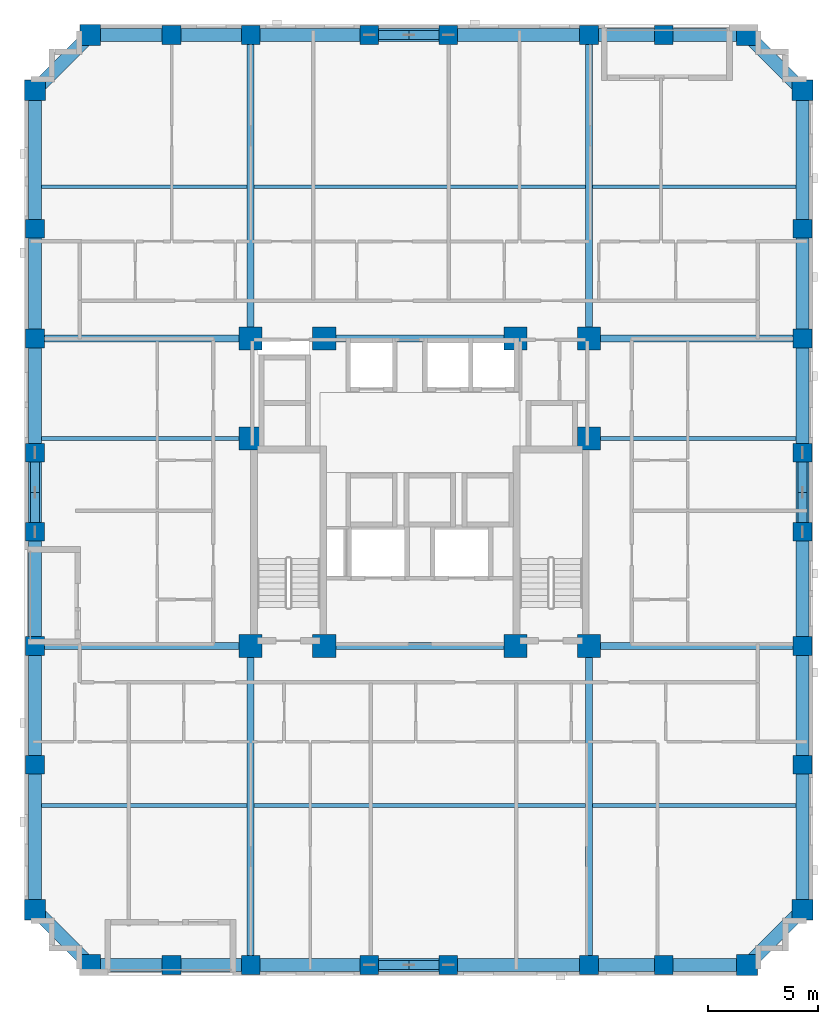
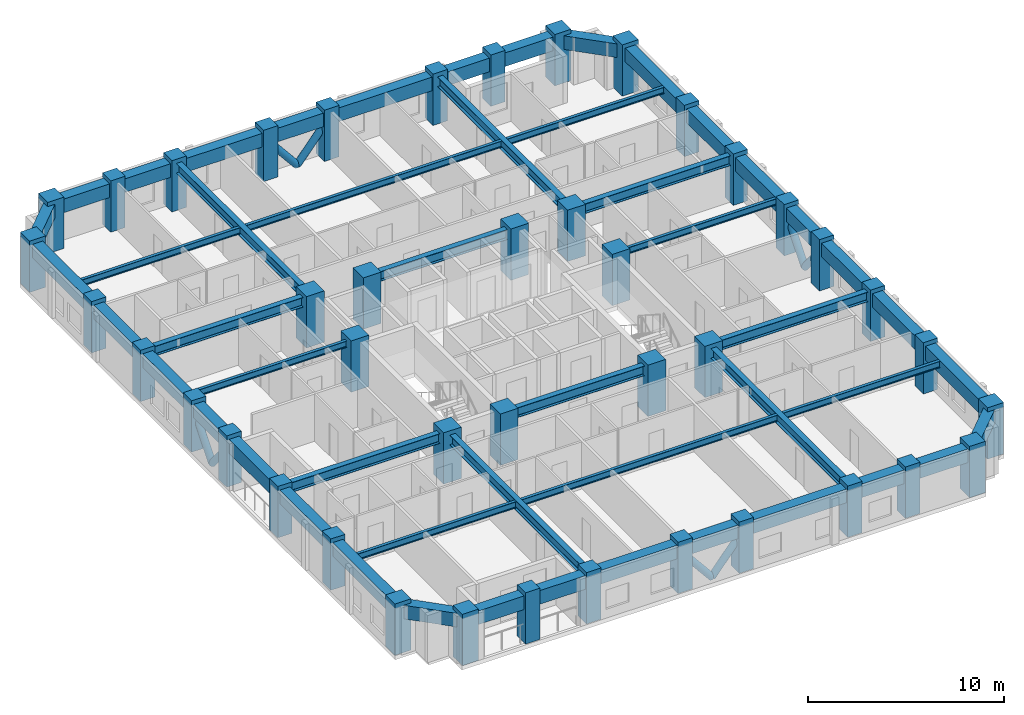
# One storey, part 1 of 12: 50 beams, 42 columns, 8 members.
"""IFC4 building model written with IfcOpenShell, lengths in metres."""

from ifc_helpers import new_model, si_unit, derived_unit, direction, frame, origin, origin_2d, place, context, subcontext, project, spatial, rectangle, hollow_circle, i_section, extrude, material, material_profile, profile_set, type_object, element, save


model = new_model("IFC4")

# Units and contexts
model_context = context("Model", 3, precision=1e-05, world=origin(), true_north=direction((0.0, 1.0)))
body_context = subcontext(model_context, "Body", "Model", "MODEL_VIEW")
ifc_project = project(units=[si_unit("LENGTHUNIT", "METRE"), si_unit("AREAUNIT", "SQUARE_METRE"), si_unit("VOLUMEUNIT", "CUBIC_METRE"), si_unit("PLANEANGLEUNIT", "RADIAN"), si_unit("MASSUNIT", "GRAM", prefix="KILO"), derived_unit("THERMALTRANSMITTANCEUNIT", [(si_unit("MASSUNIT", "GRAM", prefix="KILO"), 1), (si_unit("TIMEUNIT", "SECOND"), -3), (si_unit("THERMODYNAMICTEMPERATUREUNIT", "KELVIN"), -1)])], contexts=[model_context])

# Site, building, storey
site_placement = place(None, origin())
site = spatial("IfcSite", under=ifc_project, at=site_placement, CompositionType="ELEMENT")
building_placement = place(site_placement, origin())
building = spatial("IfcBuilding", under=site, at=building_placement, Name="Korrvale Station Residences", CompositionType="ELEMENT")
storey_placement = place(building_placement, frame((0.0, 0.0, 91.10009765625)))
storey = spatial("IfcBuildingStorey", under=building, at=storey_placement, Name="L25", CompositionType="ELEMENT", Elevation=91.10009765625)

# Columns
ifc_material_1 = material(Name="Concrete C60/75", Category="concrete")
ifc_material_profile_1 = material_profile(ifc_material_1, rectangle(XDim=1.050048828125, YDim=1.050048828125, at=origin_2d()), Name="RC1050x1050")
ifc_profile_set_1 = profile_set([ifc_material_profile_1], Name="Concrete C60/75")
column_type_1 = type_object("IfcColumnType", Name="COL-C-RC1050x1050-C6075", PredefinedType="COLUMN", material=ifc_profile_set_1)
for number, where, z_axis, x_axis, name in (
    (1, (17.800048828125, 15.0, 0.0), (0.0, 0.0, 1.0), (1.0, 0.0, 0.0), "L25 Core Column 01"),
    (2, (21.14990234375, 15.0, 0.0), (0.0, 0.0, 1.0), (1.0, 0.0, 0.0), "L25 Core Column 02"),
    (3, (29.85009765625, 15.0, 0.0), (0.0, 0.0, 1.0), (1.0, 0.0, 0.0), "L25 Core Column 03"),
    (4, (33.199951171875, 15.0, 0.0), (0.0, 0.0, 1.0), (1.0, 0.0, 0.0), "L25 Core Column 04"),
    (5, (17.800048828125, 29.0, 0.0), (0.0, 0.0, 1.0), (1.0, 0.0, 0.0), "L25 Core Column 05"),
    (6, (21.14990234375, 29.0, 0.0), (0.0, 0.0, 1.0), (1.0, 0.0, 0.0), "L25 Core Column 06"),
    (7, (29.85009765625, 29.0, 0.0), (0.0, 0.0, 1.0), (1.0, 0.0, 0.0), "L25 Core Column 07"),
    (8, (33.199951171875, 29.0, 0.0), (0.0, 0.0, 1.0), (1.0, 0.0, 0.0), "L25 Core Column 08"),
    (9, (17.800048828125, 24.449951171875, 0.0), (0.0, 0.0, 1.0), (1.0, 0.0, 0.0), "L25 Core Column 09"),
    (10, (33.199951171875, 24.449951171875, 0.0), (0.0, 0.0, 1.0), (1.0, 0.0, 0.0), "L25 Core Column 10"),
):
    element("IfcColumn", number, at=place(storey_placement, frame(where, z_axis=z_axis, x_axis=x_axis)), inside=storey, type_object=column_type_1, Name=name, PredefinedType="COLUMN", context=body_context, shape_type="SweptSolid", body=[
        extrude(rectangle(XDim=1.050048828125, YDim=1.050048828125, at=origin_2d()), origin(), (0.0, 0.0, 1.0), 3.199951171875),
    ])
ifc_material_profile_2 = material_profile(ifc_material_1, rectangle(XDim=0.85009765625, YDim=0.85009765625, at=origin_2d()), Name="RC850x850")
ifc_profile_set_2 = profile_set([ifc_material_profile_2], Name="Concrete C60/75")
column_type_2 = type_object("IfcColumnType", Name="COL-C-RC850x850-C6075", PredefinedType="COLUMN", material=ifc_profile_set_2)
for number, where, z_axis, x_axis, name in (
    (11, (14.199951171875, 0.47998046875, 0.0), (0.0, 0.0, 1.0), (1.0, 0.0, 0.0), "L25 Bundled-Tube South Column 02"),
    (12, (17.800048828125, 0.47998046875, 0.0), (0.0, 0.0, 1.0), (1.0, 0.0, 0.0), "L25 Bundled-Tube South Column 03"),
    (13, (23.199951171875, 0.47998046875, 0.0), (0.0, 0.0, 1.0), (1.0, 0.0, 0.0), "L25 Bundled-Tube South Column 04"),
    (14, (26.800048828125, 0.47998046875, 0.0), (0.0, 0.0, 1.0), (1.0, 0.0, 0.0), "L25 Bundled-Tube South Column 05"),
    (15, (33.199951171875, 0.47998046875, 0.0), (0.0, 0.0, 1.0), (1.0, 0.0, 0.0), "L25 Bundled-Tube South Column 06"),
    (16, (36.60009765625, 0.47998046875, 0.0), (0.0, 0.0, 1.0), (1.0, 0.0, 0.0), "L25 Bundled-Tube South Column 07"),
    (17, (14.199951171875, 42.820068359375, 0.0), (0.0, 0.0, 1.0), (1.0, 0.0, 0.0), "L25 Bundled-Tube North Column 10"),
    (18, (17.800048828125, 42.820068359375, 0.0), (0.0, 0.0, 1.0), (1.0, 0.0, 0.0), "L25 Bundled-Tube North Column 11"),
    (19, (23.199951171875, 42.820068359375, 0.0), (0.0, 0.0, 1.0), (1.0, 0.0, 0.0), "L25 Bundled-Tube North Column 12"),
    (20, (26.800048828125, 42.820068359375, 0.0), (0.0, 0.0, 1.0), (1.0, 0.0, 0.0), "L25 Bundled-Tube North Column 13"),
    (21, (33.199951171875, 42.820068359375, 0.0), (0.0, 0.0, 1.0), (1.0, 0.0, 0.0), "L25 Bundled-Tube North Column 14"),
    (22, (36.60009765625, 42.820068359375, 0.0), (0.0, 0.0, 1.0), (1.0, 0.0, 0.0), "L25 Bundled-Tube North Column 15"),
    (23, (7.97998046875, 9.60009765625, 0.0), (0.0, 0.0, 1.0), (1.0, 0.0, 0.0), "L25 Bundled-Tube West Column 18"),
    (24, (7.97998046875, 15.0, 0.0), (0.0, 0.0, 1.0), (1.0, 0.0, 0.0), "L25 Bundled-Tube West Column 19"),
    (25, (7.97998046875, 20.199951171875, 0.0), (0.0, 0.0, 1.0), (1.0, 0.0, 0.0), "L25 Bundled-Tube West Column 20"),
    (26, (7.97998046875, 23.800048828125, 0.0), (0.0, 0.0, 1.0), (1.0, 0.0, 0.0), "L25 Bundled-Tube West Column 21"),
    (27, (7.97998046875, 29.0, 0.0), (0.0, 0.0, 1.0), (1.0, 0.0, 0.0), "L25 Bundled-Tube West Column 22"),
    (28, (7.97998046875, 34.0, 0.0), (0.0, 0.0, 1.0), (1.0, 0.0, 0.0), "L25 Bundled-Tube West Column 23"),
    (29, (42.919921875, 9.60009765625, 0.0), (0.0, 0.0, 1.0), (1.0, 0.0, 0.0), "L25 Bundled-Tube East Column 26"),
    (30, (42.919921875, 15.0, 0.0), (0.0, 0.0, 1.0), (1.0, 0.0, 0.0), "L25 Bundled-Tube East Column 27"),
    (31, (42.919921875, 20.199951171875, 0.0), (0.0, 0.0, 1.0), (1.0, 0.0, 0.0), "L25 Bundled-Tube East Column 28"),
    (32, (42.919921875, 23.800048828125, 0.0), (0.0, 0.0, 1.0), (1.0, 0.0, 0.0), "L25 Bundled-Tube East Column 29"),
    (33, (42.919921875, 29.0, 0.0), (0.0, 0.0, 1.0), (1.0, 0.0, 0.0), "L25 Bundled-Tube East Column 30"),
    (34, (42.919921875, 34.0, 0.0), (0.0, 0.0, 1.0), (1.0, 0.0, 0.0), "L25 Bundled-Tube East Column 31"),
):
    element("IfcColumn", number, at=place(storey_placement, frame(where, z_axis=z_axis, x_axis=x_axis)), inside=storey, type_object=column_type_2, Name=name, PredefinedType="COLUMN", context=body_context, shape_type="SweptSolid", body=[
        extrude(rectangle(XDim=0.85009765625, YDim=0.85009765625, at=origin_2d()), origin(), (0.0, 0.0, 1.0), 3.199951171875),
    ])
ifc_material_profile_3 = material_profile(ifc_material_1, rectangle(XDim=0.949951171875, YDim=0.949951171875, at=origin_2d()), Name="RC950x950")
ifc_profile_set_3 = profile_set([ifc_material_profile_3], Name="Concrete C60/75")
column_type_3 = type_object("IfcColumnType", Name="COL-C-RC950x950-C6075", PredefinedType="COLUMN", material=ifc_profile_set_3)
for number, where, z_axis, x_axis, name in (
    (35, (10.5, 0.47998046875, 0.0), (0.0, 0.0, 1.0), (1.0, 0.0, 0.0), "L25 Bundled-Tube South Column 01"),
    (36, (40.39990234375, 0.47998046875, 0.0), (0.0, 0.0, 1.0), (1.0, 0.0, 0.0), "L25 Bundled-Tube South Column 08"),
    (37, (10.5, 42.820068359375, 0.0), (0.0, 0.0, 1.0), (1.0, 0.0, 0.0), "L25 Bundled-Tube North Column 09"),
    (38, (40.39990234375, 42.820068359375, 0.0), (0.0, 0.0, 1.0), (1.0, 0.0, 0.0), "L25 Bundled-Tube North Column 16"),
    (39, (7.97998046875, 3.0, 0.0), (0.0, 0.0, 1.0), (1.0, 0.0, 0.0), "L25 Bundled-Tube West Column 17"),
    (40, (7.97998046875, 40.300048828125, 0.0), (0.0, 0.0, 1.0), (1.0, 0.0, 0.0), "L25 Bundled-Tube West Column 24"),
    (41, (42.919921875, 3.0, 0.0), (0.0, 0.0, 1.0), (1.0, 0.0, 0.0), "L25 Bundled-Tube East Column 25"),
    (42, (42.919921875, 40.300048828125, 0.0), (0.0, 0.0, 1.0), (1.0, 0.0, 0.0), "L25 Bundled-Tube East Column 32"),
):
    element("IfcColumn", number, at=place(storey_placement, frame(where, z_axis=z_axis, x_axis=x_axis)), inside=storey, type_object=column_type_3, Name=name, PredefinedType="COLUMN", context=body_context, shape_type="SweptSolid", body=[
        extrude(rectangle(XDim=0.949951171875, YDim=0.949951171875, at=origin_2d()), origin(), (0.0, 0.0, 1.0), 3.199951171875),
    ])

# Beams
ifc_material_2 = material(Name="Steel S355", Category="steel")
ifc_material_profile_4 = material_profile(ifc_material_2, i_section(OverallWidth=0.324951171875, OverallDepth=0.615966796875, WebThickness=0.013916015625, FlangeThickness=0.021484375, FilletRadius=0.01904296875, at=origin_2d()), Name="W610x174")
ifc_profile_set_4 = profile_set([ifc_material_profile_4], Name="Steel S355")
beam_type_1 = type_object("IfcBeamType", Name="BM-BM-W610x174-S355", PredefinedType="BEAM", material=ifc_profile_set_4)
for number, where, z_axis, x_axis, name in (
    (43, (17.800048828125, 0.47998046875, 2.6318359375), (0.0, 1.0, 0.0), (-1.0, 0.0, 0.0), "L25 Bundled-Tube Web Girder 01"),
    (44, (33.199951171875, 0.47998046875, 2.6318359375), (0.0, 1.0, 0.0), (-1.0, 0.0, 0.0), "L25 Bundled-Tube Web Girder 02"),
):
    element("IfcBeam", number, at=place(storey_placement, frame(where, z_axis=z_axis, x_axis=x_axis)), inside=storey, type_object=beam_type_1, Name=name, PredefinedType="BEAM", context=body_context, shape_type="SweptSolid", body=[
        extrude(i_section(OverallWidth=0.324951171875, OverallDepth=0.615966796875, WebThickness=0.013916015625, FlangeThickness=0.021484375, FilletRadius=0.01904296875, at=origin_2d()), origin(), (0.0, 0.0, 1.0), 14.52001953125),
    ])
for number, where, z_axis, x_axis, name in (
    (45, (17.800048828125, 29.0, 2.6318359375), (0.0, 1.0, 0.0), (-1.0, 0.0, 0.0), "L25 Bundled-Tube Web Girder 03"),
    (46, (33.199951171875, 29.0, 2.6318359375), (0.0, 1.0, 0.0), (-1.0, 0.0, 0.0), "L25 Bundled-Tube Web Girder 04"),
):
    element("IfcBeam", number, at=place(storey_placement, frame(where, z_axis=z_axis, x_axis=x_axis)), inside=storey, type_object=beam_type_1, Name=name, PredefinedType="BEAM", context=body_context, shape_type="SweptSolid", body=[
        extrude(i_section(OverallWidth=0.324951171875, OverallDepth=0.615966796875, WebThickness=0.013916015625, FlangeThickness=0.021484375, FilletRadius=0.01904296875, at=origin_2d()), origin(), (0.0, 0.0, 1.0), 13.820068359375),
    ])
beam_1_placement = place(storey_placement, frame((7.97998046875, 15.0, 2.6318359375), z_axis=(1.0, 0.0, 0.0), x_axis=(0.0, 1.0, 0.0)))
element("IfcBeam", 47, at=beam_1_placement, inside=storey, type_object=beam_type_1, Name="L25 Bundled-Tube Web Girder 05", PredefinedType="BEAM", context=body_context, shape_type="SweptSolid", body=[
    extrude(i_section(OverallWidth=0.324951171875, OverallDepth=0.615966796875, WebThickness=0.013916015625, FlangeThickness=0.021484375, FilletRadius=0.01904296875, at=origin_2d()), origin(), (0.0, 0.0, 1.0), 9.820068359375),
])
beam_2_placement = place(storey_placement, frame((33.199951171875, 15.0, 2.6318359375), z_axis=(1.0, 0.0, 0.0), x_axis=(0.0, 1.0, 0.0)))
element("IfcBeam", 48, at=beam_2_placement, inside=storey, type_object=beam_type_1, Name="L25 Bundled-Tube Web Girder 06", PredefinedType="BEAM", context=body_context, shape_type="SweptSolid", body=[
    extrude(i_section(OverallWidth=0.324951171875, OverallDepth=0.615966796875, WebThickness=0.013916015625, FlangeThickness=0.021484375, FilletRadius=0.01904296875, at=origin_2d()), origin(), (0.0, 0.0, 1.0), 9.719970703125),
])
beam_3_placement = place(storey_placement, frame((7.97998046875, 29.0, 2.6318359375), z_axis=(1.0, 0.0, 0.0), x_axis=(0.0, 1.0, 0.0)))
element("IfcBeam", 49, at=beam_3_placement, inside=storey, type_object=beam_type_1, Name="L25 Bundled-Tube Web Girder 07", PredefinedType="BEAM", context=body_context, shape_type="SweptSolid", body=[
    extrude(i_section(OverallWidth=0.324951171875, OverallDepth=0.615966796875, WebThickness=0.013916015625, FlangeThickness=0.021484375, FilletRadius=0.01904296875, at=origin_2d()), origin(), (0.0, 0.0, 1.0), 9.820068359375),
])
beam_4_placement = place(storey_placement, frame((33.199951171875, 29.0, 2.6318359375), z_axis=(1.0, 0.0, 0.0), x_axis=(0.0, 1.0, 0.0)))
element("IfcBeam", 50, at=beam_4_placement, inside=storey, type_object=beam_type_1, Name="L25 Bundled-Tube Web Girder 08", PredefinedType="BEAM", context=body_context, shape_type="SweptSolid", body=[
    extrude(i_section(OverallWidth=0.324951171875, OverallDepth=0.615966796875, WebThickness=0.013916015625, FlangeThickness=0.021484375, FilletRadius=0.01904296875, at=origin_2d()), origin(), (0.0, 0.0, 1.0), 9.719970703125),
])
for number, where, z_axis, x_axis, name in (
    (51, (21.14990234375, 15.0, 2.6318359375), (1.0, 0.0, 0.0), (0.0, 1.0, 0.0), "L25 Bundled-Tube Web Girder 09"),
    (52, (21.14990234375, 29.0, 2.6318359375), (1.0, 0.0, 0.0), (0.0, 1.0, 0.0), "L25 Bundled-Tube Web Girder 10"),
):
    element("IfcBeam", number, at=place(storey_placement, frame(where, z_axis=z_axis, x_axis=x_axis)), inside=storey, type_object=beam_type_1, Name=name, PredefinedType="BEAM", context=body_context, shape_type="SweptSolid", body=[
        extrude(i_section(OverallWidth=0.324951171875, OverallDepth=0.615966796875, WebThickness=0.013916015625, FlangeThickness=0.021484375, FilletRadius=0.01904296875, at=origin_2d()), origin(), (0.0, 0.0, 1.0), 8.7001953125),
    ])
ifc_material_profile_5 = material_profile(ifc_material_2, i_section(OverallWidth=0.177978515625, OverallDepth=0.406982421875, WebThickness=0.0078125, FlangeThickness=0.0126953125, FilletRadius=0.01611328125, at=origin_2d()), Name="W410x60")
ifc_profile_set_5 = profile_set([ifc_material_profile_5], Name="Steel S355")
beam_type_2 = type_object("IfcBeamType", Name="BM-JST-W410x60-S355", PredefinedType="JOIST", material=ifc_profile_set_5)
beam_5_placement = place(storey_placement, frame((8.280029296875, 7.739990234375, 2.736328125), z_axis=(1.0, 0.0, 0.0), x_axis=(0.0, 1.0, 0.0)))
element("IfcBeam", 53, at=beam_5_placement, inside=storey, type_object=beam_type_2, Name="L25 Floor Framing Joist 01", PredefinedType="JOIST", context=body_context, shape_type="SweptSolid", body=[
    extrude(i_section(OverallWidth=0.177978515625, OverallDepth=0.406982421875, WebThickness=0.0078125, FlangeThickness=0.0126953125, FilletRadius=0.01611328125, at=origin_2d()), origin(), (0.0, 0.0, 1.0), 9.357421875),
])
beam_6_placement = place(storey_placement, frame((17.96240234375, 7.739990234375, 2.736328125), z_axis=(1.0, 0.0, 0.0), x_axis=(0.0, 1.0, 0.0)))
element("IfcBeam", 54, at=beam_6_placement, inside=storey, type_object=beam_type_2, Name="L25 Floor Framing Joist 02", PredefinedType="JOIST", context=body_context, shape_type="SweptSolid", body=[
    extrude(i_section(OverallWidth=0.177978515625, OverallDepth=0.406982421875, WebThickness=0.0078125, FlangeThickness=0.0126953125, FilletRadius=0.01611328125, at=origin_2d()), origin(), (0.0, 0.0, 1.0), 15.0751953125),
])
beam_7_placement = place(storey_placement, frame((33.362548828125, 7.739990234375, 2.736328125), z_axis=(1.0, 0.0, 0.0), x_axis=(0.0, 1.0, 0.0)))
element("IfcBeam", 55, at=beam_7_placement, inside=storey, type_object=beam_type_2, Name="L25 Floor Framing Joist 03", PredefinedType="JOIST", context=body_context, shape_type="SweptSolid", body=[
    extrude(i_section(OverallWidth=0.177978515625, OverallDepth=0.406982421875, WebThickness=0.0078125, FlangeThickness=0.0126953125, FilletRadius=0.01611328125, at=origin_2d()), origin(), (0.0, 0.0, 1.0), 9.257568359375),
])
beam_8_placement = place(storey_placement, frame((8.280029296875, 35.909912109375, 2.736328125), z_axis=(1.0, 0.0, 0.0), x_axis=(0.0, 1.0, 0.0)))
element("IfcBeam", 56, at=beam_8_placement, inside=storey, type_object=beam_type_2, Name="L25 Floor Framing Joist 04", PredefinedType="JOIST", context=body_context, shape_type="SweptSolid", body=[
    extrude(i_section(OverallWidth=0.177978515625, OverallDepth=0.406982421875, WebThickness=0.0078125, FlangeThickness=0.0126953125, FilletRadius=0.01611328125, at=origin_2d()), origin(), (0.0, 0.0, 1.0), 9.357421875),
])
beam_9_placement = place(storey_placement, frame((17.96240234375, 35.909912109375, 2.736328125), z_axis=(1.0, 0.0, 0.0), x_axis=(0.0, 1.0, 0.0)))
element("IfcBeam", 57, at=beam_9_placement, inside=storey, type_object=beam_type_2, Name="L25 Floor Framing Joist 05", PredefinedType="JOIST", context=body_context, shape_type="SweptSolid", body=[
    extrude(i_section(OverallWidth=0.177978515625, OverallDepth=0.406982421875, WebThickness=0.0078125, FlangeThickness=0.0126953125, FilletRadius=0.01611328125, at=origin_2d()), origin(), (0.0, 0.0, 1.0), 15.0751953125),
])
beam_10_placement = place(storey_placement, frame((33.362548828125, 35.909912109375, 2.736328125), z_axis=(1.0, 0.0, 0.0), x_axis=(0.0, 1.0, 0.0)))
element("IfcBeam", 58, at=beam_10_placement, inside=storey, type_object=beam_type_2, Name="L25 Floor Framing Joist 06", PredefinedType="JOIST", context=body_context, shape_type="SweptSolid", body=[
    extrude(i_section(OverallWidth=0.177978515625, OverallDepth=0.406982421875, WebThickness=0.0078125, FlangeThickness=0.0126953125, FilletRadius=0.01611328125, at=origin_2d()), origin(), (0.0, 0.0, 1.0), 9.257568359375),
])
beam_11_placement = place(storey_placement, frame((33.199951171875, 24.449951171875, 2.736328125), z_axis=(1.0, 0.0, 0.0), x_axis=(0.0, 1.0, 0.0)))
element("IfcBeam", 59, at=beam_11_placement, inside=storey, type_object=beam_type_2, Name="L25 Floor Framing Joist 07", PredefinedType="JOIST", context=body_context, shape_type="SweptSolid", body=[
    extrude(i_section(OverallWidth=0.177978515625, OverallDepth=0.406982421875, WebThickness=0.0078125, FlangeThickness=0.0126953125, FilletRadius=0.01611328125, at=origin_2d()), origin(), (0.0, 0.0, 1.0), 9.420166015625),
])
beam_12_placement = place(storey_placement, frame((8.280029296875, 24.449951171875, 2.736328125), z_axis=(1.0, 0.0, 0.0), x_axis=(0.0, 1.0, 0.0)))
element("IfcBeam", 60, at=beam_12_placement, inside=storey, type_object=beam_type_2, Name="L25 Floor Framing Joist 08", PredefinedType="JOIST", context=body_context, shape_type="SweptSolid", body=[
    extrude(i_section(OverallWidth=0.177978515625, OverallDepth=0.406982421875, WebThickness=0.0078125, FlangeThickness=0.0126953125, FilletRadius=0.01611328125, at=origin_2d()), origin(), (0.0, 0.0, 1.0), 9.52001953125),
])
ifc_material_profile_6 = material_profile(ifc_material_1, rectangle(XDim=0.60009765625, YDim=0.85009765625, at=origin_2d()), Name="RCB600x850")
ifc_profile_set_6 = profile_set([ifc_material_profile_6], Name="Concrete C60/75")
beam_type_3 = type_object("IfcBeamType", Name="BM-SPB-RCB600x850-C6075", PredefinedType="SPANDREL", material=ifc_profile_set_6)
beam_13_placement = place(storey_placement, frame((10.5, 0.47998046875, 2.514892578125), z_axis=(1.0, 0.0, 0.0), x_axis=(0.0, 1.0, 0.0)))
element("IfcBeam", 61, at=beam_13_placement, inside=storey, type_object=beam_type_3, Name="L25 South Tube Spandrel 01", PredefinedType="SPANDREL", context=body_context, shape_type="SweptSolid", body=[
    extrude(rectangle(XDim=0.60009765625, YDim=0.85009765625, at=origin_2d()), origin(), (0.0, 0.0, 1.0), 3.699951171875),
])
beam_14_placement = place(storey_placement, frame((14.199951171875, 0.47998046875, 2.514892578125), z_axis=(1.0, 0.0, 0.0), x_axis=(0.0, 1.0, 0.0)))
element("IfcBeam", 62, at=beam_14_placement, inside=storey, type_object=beam_type_3, Name="L25 South Tube Spandrel 02", PredefinedType="SPANDREL", context=body_context, shape_type="SweptSolid", body=[
    extrude(rectangle(XDim=0.60009765625, YDim=0.85009765625, at=origin_2d()), origin(), (0.0, 0.0, 1.0), 3.60009765625),
])
beam_15_placement = place(storey_placement, frame((17.800048828125, 0.47998046875, 2.514892578125), z_axis=(1.0, 0.0, 0.0), x_axis=(0.0, 1.0, 0.0)))
element("IfcBeam", 63, at=beam_15_placement, inside=storey, type_object=beam_type_3, Name="L25 South Tube Spandrel 03", PredefinedType="SPANDREL", context=body_context, shape_type="SweptSolid", body=[
    extrude(rectangle(XDim=0.60009765625, YDim=0.85009765625, at=origin_2d()), origin(), (0.0, 0.0, 1.0), 5.39990234375),
])
beam_16_placement = place(storey_placement, frame((23.199951171875, 0.47998046875, 2.514892578125), z_axis=(1.0, 0.0, 0.0), x_axis=(0.0, 1.0, 0.0)))
element("IfcBeam", 64, at=beam_16_placement, inside=storey, type_object=beam_type_3, Name="L25 South Tube Spandrel 04", PredefinedType="SPANDREL", context=body_context, shape_type="SweptSolid", body=[
    extrude(rectangle(XDim=0.60009765625, YDim=0.85009765625, at=origin_2d()), origin(), (0.0, 0.0, 1.0), 3.60009765625),
])
beam_17_placement = place(storey_placement, frame((26.800048828125, 0.47998046875, 2.514892578125), z_axis=(1.0, 0.0, 0.0), x_axis=(0.0, 1.0, 0.0)))
element("IfcBeam", 65, at=beam_17_placement, inside=storey, type_object=beam_type_3, Name="L25 South Tube Spandrel 05", PredefinedType="SPANDREL", context=body_context, shape_type="SweptSolid", body=[
    extrude(rectangle(XDim=0.60009765625, YDim=0.85009765625, at=origin_2d()), origin(), (0.0, 0.0, 1.0), 6.39990234375),
])
beam_18_placement = place(storey_placement, frame((33.199951171875, 0.47998046875, 2.514892578125), z_axis=(1.0, 0.0, 0.0), x_axis=(0.0, 1.0, 0.0)))
element("IfcBeam", 66, at=beam_18_placement, inside=storey, type_object=beam_type_3, Name="L25 South Tube Spandrel 06", PredefinedType="SPANDREL", context=body_context, shape_type="SweptSolid", body=[
    extrude(rectangle(XDim=0.60009765625, YDim=0.85009765625, at=origin_2d()), origin(), (0.0, 0.0, 1.0), 3.400146484375),
])
beam_19_placement = place(storey_placement, frame((36.60009765625, 0.47998046875, 2.514892578125), z_axis=(1.0, 0.0, 0.0), x_axis=(0.0, 1.0, 0.0)))
element("IfcBeam", 67, at=beam_19_placement, inside=storey, type_object=beam_type_3, Name="L25 South Tube Spandrel 07", PredefinedType="SPANDREL", context=body_context, shape_type="SweptSolid", body=[
    extrude(rectangle(XDim=0.60009765625, YDim=0.85009765625, at=origin_2d()), origin(), (0.0, 0.0, 1.0), 3.7998046875),
])
beam_20_placement = place(storey_placement, frame((10.5, 42.820068359375, 2.514892578125), z_axis=(1.0, 0.0, 0.0), x_axis=(0.0, 1.0, 0.0)))
element("IfcBeam", 68, at=beam_20_placement, inside=storey, type_object=beam_type_3, Name="L25 North Tube Spandrel 08", PredefinedType="SPANDREL", context=body_context, shape_type="SweptSolid", body=[
    extrude(rectangle(XDim=0.60009765625, YDim=0.85009765625, at=origin_2d()), origin(), (0.0, 0.0, 1.0), 3.699951171875),
])
beam_21_placement = place(storey_placement, frame((14.199951171875, 42.820068359375, 2.514892578125), z_axis=(1.0, 0.0, 0.0), x_axis=(0.0, 1.0, 0.0)))
element("IfcBeam", 69, at=beam_21_placement, inside=storey, type_object=beam_type_3, Name="L25 North Tube Spandrel 09", PredefinedType="SPANDREL", context=body_context, shape_type="SweptSolid", body=[
    extrude(rectangle(XDim=0.60009765625, YDim=0.85009765625, at=origin_2d()), origin(), (0.0, 0.0, 1.0), 3.60009765625),
])
beam_22_placement = place(storey_placement, frame((17.800048828125, 42.820068359375, 2.514892578125), z_axis=(1.0, 0.0, 0.0), x_axis=(0.0, 1.0, 0.0)))
element("IfcBeam", 70, at=beam_22_placement, inside=storey, type_object=beam_type_3, Name="L25 North Tube Spandrel 10", PredefinedType="SPANDREL", context=body_context, shape_type="SweptSolid", body=[
    extrude(rectangle(XDim=0.60009765625, YDim=0.85009765625, at=origin_2d()), origin(), (0.0, 0.0, 1.0), 5.39990234375),
])
beam_23_placement = place(storey_placement, frame((23.199951171875, 42.820068359375, 2.514892578125), z_axis=(1.0, 0.0, 0.0), x_axis=(0.0, 1.0, 0.0)))
element("IfcBeam", 71, at=beam_23_placement, inside=storey, type_object=beam_type_3, Name="L25 North Tube Spandrel 11", PredefinedType="SPANDREL", context=body_context, shape_type="SweptSolid", body=[
    extrude(rectangle(XDim=0.60009765625, YDim=0.85009765625, at=origin_2d()), origin(), (0.0, 0.0, 1.0), 3.60009765625),
])
beam_24_placement = place(storey_placement, frame((26.800048828125, 42.820068359375, 2.514892578125), z_axis=(1.0, 0.0, 0.0), x_axis=(0.0, 1.0, 0.0)))
element("IfcBeam", 72, at=beam_24_placement, inside=storey, type_object=beam_type_3, Name="L25 North Tube Spandrel 12", PredefinedType="SPANDREL", context=body_context, shape_type="SweptSolid", body=[
    extrude(rectangle(XDim=0.60009765625, YDim=0.85009765625, at=origin_2d()), origin(), (0.0, 0.0, 1.0), 6.39990234375),
])
beam_25_placement = place(storey_placement, frame((33.199951171875, 42.820068359375, 2.514892578125), z_axis=(1.0, 0.0, 0.0), x_axis=(0.0, 1.0, 0.0)))
element("IfcBeam", 73, at=beam_25_placement, inside=storey, type_object=beam_type_3, Name="L25 North Tube Spandrel 13", PredefinedType="SPANDREL", context=body_context, shape_type="SweptSolid", body=[
    extrude(rectangle(XDim=0.60009765625, YDim=0.85009765625, at=origin_2d()), origin(), (0.0, 0.0, 1.0), 3.400146484375),
])
beam_26_placement = place(storey_placement, frame((36.60009765625, 42.820068359375, 2.514892578125), z_axis=(1.0, 0.0, 0.0), x_axis=(0.0, 1.0, 0.0)))
element("IfcBeam", 74, at=beam_26_placement, inside=storey, type_object=beam_type_3, Name="L25 North Tube Spandrel 14", PredefinedType="SPANDREL", context=body_context, shape_type="SweptSolid", body=[
    extrude(rectangle(XDim=0.60009765625, YDim=0.85009765625, at=origin_2d()), origin(), (0.0, 0.0, 1.0), 3.7998046875),
])
beam_27_placement = place(storey_placement, frame((7.97998046875, 3.0, 2.514892578125), z_axis=(0.0, 1.0, 0.0), x_axis=(-1.0, 0.0, 0.0)))
element("IfcBeam", 75, at=beam_27_placement, inside=storey, type_object=beam_type_3, Name="L25 West Tube Spandrel 15", PredefinedType="SPANDREL", context=body_context, shape_type="SweptSolid", body=[
    extrude(rectangle(XDim=0.60009765625, YDim=0.85009765625, at=origin_2d()), origin(), (0.0, 0.0, 1.0), 6.60009765625),
])
beam_28_placement = place(storey_placement, frame((7.97998046875, 9.60009765625, 2.514892578125), z_axis=(0.0, 1.0, 0.0), x_axis=(-1.0, 0.0, 0.0)))
element("IfcBeam", 76, at=beam_28_placement, inside=storey, type_object=beam_type_3, Name="L25 West Tube Spandrel 16", PredefinedType="SPANDREL", context=body_context, shape_type="SweptSolid", body=[
    extrude(rectangle(XDim=0.60009765625, YDim=0.85009765625, at=origin_2d()), origin(), (0.0, 0.0, 1.0), 5.39990234375),
])
beam_29_placement = place(storey_placement, frame((7.97998046875, 15.0, 2.514892578125), z_axis=(0.0, 1.0, 0.0), x_axis=(-1.0, 0.0, 0.0)))
element("IfcBeam", 77, at=beam_29_placement, inside=storey, type_object=beam_type_3, Name="L25 West Tube Spandrel 17", PredefinedType="SPANDREL", context=body_context, shape_type="SweptSolid", body=[
    extrude(rectangle(XDim=0.60009765625, YDim=0.85009765625, at=origin_2d()), origin(), (0.0, 0.0, 1.0), 5.199951171875),
])
beam_30_placement = place(storey_placement, frame((7.97998046875, 20.199951171875, 2.514892578125), z_axis=(0.0, 1.0, 0.0), x_axis=(-1.0, 0.0, 0.0)))
element("IfcBeam", 78, at=beam_30_placement, inside=storey, type_object=beam_type_3, Name="L25 West Tube Spandrel 18", PredefinedType="SPANDREL", context=body_context, shape_type="SweptSolid", body=[
    extrude(rectangle(XDim=0.60009765625, YDim=0.85009765625, at=origin_2d()), origin(), (0.0, 0.0, 1.0), 3.60009765625),
])
beam_31_placement = place(storey_placement, frame((7.97998046875, 23.800048828125, 2.514892578125), z_axis=(0.0, 1.0, 0.0), x_axis=(-1.0, 0.0, 0.0)))
element("IfcBeam", 79, at=beam_31_placement, inside=storey, type_object=beam_type_3, Name="L25 West Tube Spandrel 19", PredefinedType="SPANDREL", context=body_context, shape_type="SweptSolid", body=[
    extrude(rectangle(XDim=0.60009765625, YDim=0.85009765625, at=origin_2d()), origin(), (0.0, 0.0, 1.0), 5.199951171875),
])
beam_32_placement = place(storey_placement, frame((7.97998046875, 29.0, 2.514892578125), z_axis=(0.0, 1.0, 0.0), x_axis=(-1.0, 0.0, 0.0)))
element("IfcBeam", 80, at=beam_32_placement, inside=storey, type_object=beam_type_3, Name="L25 West Tube Spandrel 20", PredefinedType="SPANDREL", context=body_context, shape_type="SweptSolid", body=[
    extrude(rectangle(XDim=0.60009765625, YDim=0.85009765625, at=origin_2d()), origin(), (0.0, 0.0, 1.0), 5.0),
])
beam_33_placement = place(storey_placement, frame((7.97998046875, 34.0, 2.514892578125), z_axis=(0.0, 1.0, 0.0), x_axis=(-1.0, 0.0, 0.0)))
element("IfcBeam", 81, at=beam_33_placement, inside=storey, type_object=beam_type_3, Name="L25 West Tube Spandrel 21", PredefinedType="SPANDREL", context=body_context, shape_type="SweptSolid", body=[
    extrude(rectangle(XDim=0.60009765625, YDim=0.85009765625, at=origin_2d()), origin(), (0.0, 0.0, 1.0), 6.300048828125),
])
beam_34_placement = place(storey_placement, frame((42.919921875, 3.0, 2.514892578125), z_axis=(0.0, 1.0, 0.0), x_axis=(-1.0, 0.0, 0.0)))
element("IfcBeam", 82, at=beam_34_placement, inside=storey, type_object=beam_type_3, Name="L25 East Tube Spandrel 22", PredefinedType="SPANDREL", context=body_context, shape_type="SweptSolid", body=[
    extrude(rectangle(XDim=0.60009765625, YDim=0.85009765625, at=origin_2d()), origin(), (0.0, 0.0, 1.0), 6.60009765625),
])
beam_35_placement = place(storey_placement, frame((42.919921875, 9.60009765625, 2.514892578125), z_axis=(0.0, 1.0, 0.0), x_axis=(-1.0, 0.0, 0.0)))
element("IfcBeam", 83, at=beam_35_placement, inside=storey, type_object=beam_type_3, Name="L25 East Tube Spandrel 23", PredefinedType="SPANDREL", context=body_context, shape_type="SweptSolid", body=[
    extrude(rectangle(XDim=0.60009765625, YDim=0.85009765625, at=origin_2d()), origin(), (0.0, 0.0, 1.0), 5.39990234375),
])
beam_36_placement = place(storey_placement, frame((42.919921875, 15.0, 2.514892578125), z_axis=(0.0, 1.0, 0.0), x_axis=(-1.0, 0.0, 0.0)))
element("IfcBeam", 84, at=beam_36_placement, inside=storey, type_object=beam_type_3, Name="L25 East Tube Spandrel 24", PredefinedType="SPANDREL", context=body_context, shape_type="SweptSolid", body=[
    extrude(rectangle(XDim=0.60009765625, YDim=0.85009765625, at=origin_2d()), origin(), (0.0, 0.0, 1.0), 5.199951171875),
])
beam_37_placement = place(storey_placement, frame((42.919921875, 20.199951171875, 2.514892578125), z_axis=(0.0, 1.0, 0.0), x_axis=(-1.0, 0.0, 0.0)))
element("IfcBeam", 85, at=beam_37_placement, inside=storey, type_object=beam_type_3, Name="L25 East Tube Spandrel 25", PredefinedType="SPANDREL", context=body_context, shape_type="SweptSolid", body=[
    extrude(rectangle(XDim=0.60009765625, YDim=0.85009765625, at=origin_2d()), origin(), (0.0, 0.0, 1.0), 3.60009765625),
])
beam_38_placement = place(storey_placement, frame((42.919921875, 23.800048828125, 2.514892578125), z_axis=(0.0, 1.0, 0.0), x_axis=(-1.0, 0.0, 0.0)))
element("IfcBeam", 86, at=beam_38_placement, inside=storey, type_object=beam_type_3, Name="L25 East Tube Spandrel 26", PredefinedType="SPANDREL", context=body_context, shape_type="SweptSolid", body=[
    extrude(rectangle(XDim=0.60009765625, YDim=0.85009765625, at=origin_2d()), origin(), (0.0, 0.0, 1.0), 5.199951171875),
])
beam_39_placement = place(storey_placement, frame((42.919921875, 29.0, 2.514892578125), z_axis=(0.0, 1.0, 0.0), x_axis=(-1.0, 0.0, 0.0)))
element("IfcBeam", 87, at=beam_39_placement, inside=storey, type_object=beam_type_3, Name="L25 East Tube Spandrel 27", PredefinedType="SPANDREL", context=body_context, shape_type="SweptSolid", body=[
    extrude(rectangle(XDim=0.60009765625, YDim=0.85009765625, at=origin_2d()), origin(), (0.0, 0.0, 1.0), 5.0),
])
beam_40_placement = place(storey_placement, frame((42.919921875, 34.0, 2.514892578125), z_axis=(0.0, 1.0, 0.0), x_axis=(-1.0, 0.0, 0.0)))
element("IfcBeam", 88, at=beam_40_placement, inside=storey, type_object=beam_type_3, Name="L25 East Tube Spandrel 28", PredefinedType="SPANDREL", context=body_context, shape_type="SweptSolid", body=[
    extrude(rectangle(XDim=0.60009765625, YDim=0.85009765625, at=origin_2d()), origin(), (0.0, 0.0, 1.0), 6.300048828125),
])
for number, where, z_axis, x_axis, name in (
    (89, (10.5, 0.47998046875, 2.514892578125), (-0.707106781187, 0.707106781187, 0.0), (-0.707106781187, -0.707106781187, 0.0), "L25 Serrated Corner Spandrel 29"),
    (90, (40.39990234375, 0.47998046875, 2.514892578125), (0.707106781187, 0.707106781187, 0.0), (-0.707106781187, 0.707106781187, 0.0), "L25 Serrated Corner Spandrel 30"),
    (91, (40.39990234375, 42.820068359375, 2.514892578125), (0.707106781187, -0.707106781187, 0.0), (0.707106781187, 0.707106781187, 0.0), "L25 Serrated Corner Spandrel 31"),
    (92, (10.5, 42.820068359375, 2.514892578125), (-0.707106781187, -0.707106781187, 0.0), (0.707106781187, -0.707106781187, 0.0), "L25 Serrated Corner Spandrel 32"),
):
    element("IfcBeam", number, at=place(storey_placement, frame(where, z_axis=z_axis, x_axis=x_axis)), inside=storey, type_object=beam_type_3, Name=name, PredefinedType="SPANDREL", context=body_context, shape_type="SweptSolid", body=[
        extrude(rectangle(XDim=0.60009765625, YDim=0.85009765625, at=origin_2d()), origin(), (0.0, 0.0, 1.0), 3.56396484375),
    ])

# Members
ifc_material_profile_7 = material_profile(ifc_material_2, hollow_circle(Radius=0.203125, WallThickness=0.015869140625, at=origin_2d()), Name="HSS406x16")
ifc_profile_set_7 = profile_set([ifc_material_profile_7], Name="Steel S355")
member_type = type_object("IfcMemberType", Name="MBR-BR-HSS406x16", PredefinedType="BRACE", material=ifc_profile_set_7)
for number, where, z_axis, x_axis, name in (
    (93, (25.0, 0.47998046875, 0.02001953125), (-0.634985494602, 0.0, 0.772524058942), (0.0, -1.0, 0.0), "L25 S Perimeter Tube Wind Brace 1"),
    (94, (25.0, 0.47998046875, 0.02001953125), (0.634985494602, 0.0, 0.772524058942), (0.0, 1.0, 0.0), "L25 S Perimeter Tube Wind Brace 2"),
    (95, (25.0, 42.820068359375, 0.02001953125), (-0.634985494602, 0.0, 0.772524058942), (0.0, -1.0, 0.0), "L25 N Perimeter Tube Wind Brace 1"),
    (96, (25.0, 42.820068359375, 0.02001953125), (0.634985494602, 0.0, 0.772524058942), (0.0, 1.0, 0.0), "L25 N Perimeter Tube Wind Brace 2"),
    (97, (7.97998046875, 22.0, 0.02001953125), (0.0, -0.634985494602, 0.772524058942), (1.0, 0.0, 0.0), "L25 W Perimeter Tube Wind Brace 1"),
    (98, (7.97998046875, 22.0, 0.02001953125), (0.0, 0.634985494602, 0.772524058942), (-1.0, 0.0, 0.0), "L25 W Perimeter Tube Wind Brace 2"),
    (99, (42.919921875, 22.0, 0.02001953125), (0.0, -0.634985494602, 0.772524058942), (1.0, 0.0, 0.0), "L25 E Perimeter Tube Wind Brace 1"),
    (100, (42.919921875, 22.0, 0.02001953125), (0.0, 0.634985494602, 0.772524058942), (-1.0, 0.0, 0.0), "L25 E Perimeter Tube Wind Brace 2"),
):
    element("IfcMember", number, at=place(storey_placement, frame(where, z_axis=z_axis, x_axis=x_axis)), inside=storey, type_object=member_type, Name=name, PredefinedType="BRACE", context=body_context, shape_type="SweptSolid", body=[
        extrude(hollow_circle(Radius=0.203125, WallThickness=0.015869140625, at=origin_2d()), origin(), (0.0, 0.0, 1.0), 2.834716796875),
    ])

save(model, "model.ifc")
